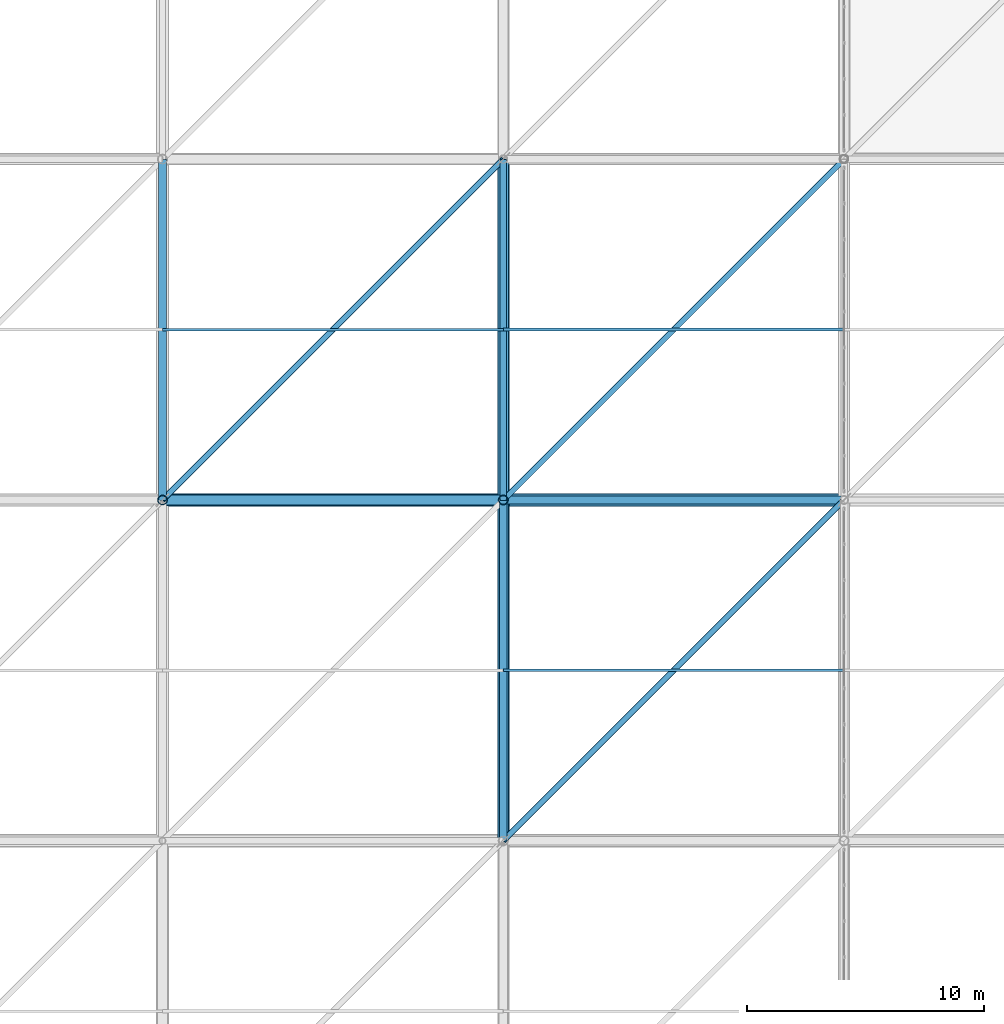
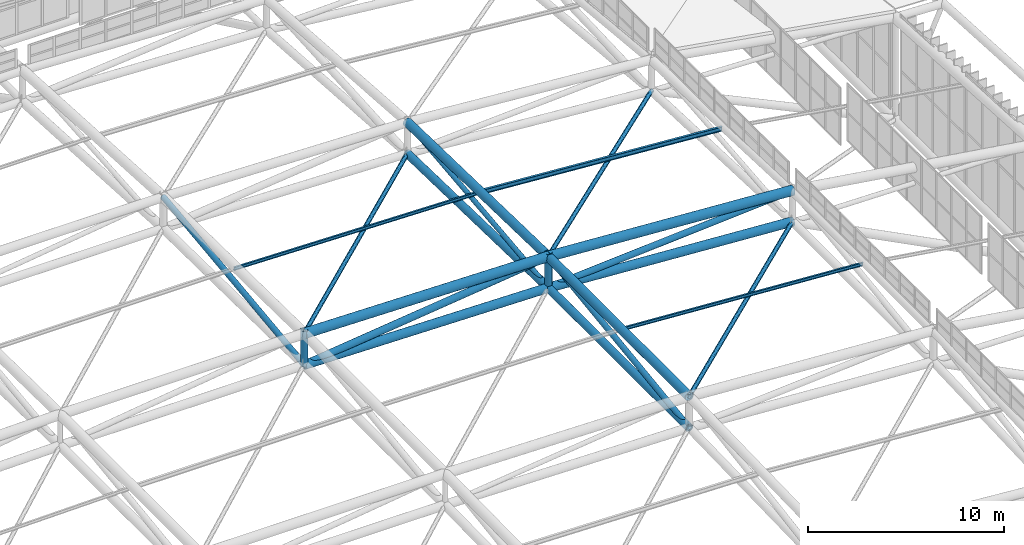
# One storey, part 266 of 397: 13 members, 8 beams.
"""IFC4 building model written with IfcOpenShell, lengths in metres."""

from ifc_helpers import new_model, si_unit, direction, frame, origin, origin_2d, place, context, subcontext, project, spatial, hollow_circle, i_section, extrude, material, material_profile, profile_set, type_object, element, save


model = new_model("IFC4")

# Units and contexts
model_context = context("Model", 3, precision=1e-05, world=origin(), true_north=direction((0.0, 1.0)))
body_context = subcontext(model_context, "Body", "Model", "MODEL_VIEW")
ifc_project = project(units=[si_unit("LENGTHUNIT", "METRE"), si_unit("AREAUNIT", "SQUARE_METRE"), si_unit("VOLUMEUNIT", "CUBIC_METRE"), si_unit("PLANEANGLEUNIT", "RADIAN"), si_unit("MASSUNIT", "GRAM", prefix="KILO")], contexts=[model_context])

# Site, building, storey
site_placement = place(None, origin())
site = spatial("IfcSite", under=ifc_project, at=site_placement, CompositionType="ELEMENT")
building_placement = place(site_placement, origin())
building = spatial("IfcBuilding", under=site, at=building_placement, Name="Qandorah Velis Arena", CompositionType="ELEMENT")
storey_placement = place(building_placement, frame((0.0, 0.0, 27.5)))
storey = spatial("IfcBuildingStorey", under=building, at=storey_placement, Name="RF", CompositionType="ELEMENT", Elevation=27.5)

# Members
ifc_material_1 = material(Name="Steel S355", Category="steel")
ifc_material_profile_1 = material_profile(ifc_material_1, i_section(OverallWidth=0.10009765625, OverallDepth=0.199951171875, WebThickness=0.005615234375, FlangeThickness=0.008544921875, FilletRadius=0.011962890625, at=origin_2d()), Name="IPE 200")
ifc_profile_set_1 = profile_set([ifc_material_profile_1], Name="Steel S355")
member_type_1 = type_object("IfcMemberType", Name="STR-PRL-IPE200", PredefinedType="PURLIN", material=ifc_profile_set_1)
member_1_placement = place(storey_placement, frame((72.0, 79.199951171875, 10.257568359375), z_axis=(0.999770450895, 0.0, -0.021425347562), x_axis=(0.0, 1.0, 0.0)))
element("IfcMember", 1, at=member_1_placement, inside=storey, type_object=member_type_1, Name="Arena roof purlin PRL-4.4", PredefinedType="PURLIN", context=body_context, shape_type="SweptSolid", body=[
    extrude(i_section(OverallWidth=0.10009765625, OverallDepth=0.199951171875, WebThickness=0.005615234375, FlangeThickness=0.008544921875, FilletRadius=0.011962890625, at=origin_2d()), origin(), (0.0, 0.0, 1.0), 14.4033203125),
])
member_2_placement = place(storey_placement, frame((86.39990234375, 64.800048828125, 10.12890625), z_axis=(0.997983976694, 0.0, -0.063466386867), x_axis=(0.0, 1.0, 0.0)))
element("IfcMember", 2, at=member_2_placement, inside=storey, type_object=member_type_1, Name="Arena roof purlin PRL-5.3", PredefinedType="PURLIN", context=body_context, shape_type="SweptSolid", body=[
    extrude(i_section(OverallWidth=0.10009765625, OverallDepth=0.199951171875, WebThickness=0.005615234375, FlangeThickness=0.008544921875, FilletRadius=0.011962890625, at=origin_2d()), origin(), (0.0, 0.0, 1.0), 14.42919921875),
])
ifc_material_profile_2 = material_profile(ifc_material_1, i_section(OverallWidth=0.135009765625, OverallDepth=0.27001953125, WebThickness=0.006591796875, FlangeThickness=0.01025390625, FilletRadius=0.014892578125, at=origin_2d()), Name="IPE 270")
ifc_profile_set_2 = profile_set([ifc_material_profile_2], Name="Steel S355")
member_type_2 = type_object("IfcMemberType", Name="STR-PRL-IPE270", PredefinedType="PURLIN", material=ifc_profile_set_2)
member_3_placement = place(storey_placement, frame((86.39990234375, 79.199951171875, 9.948974609375), z_axis=(0.997482764956, 0.0, -0.070909333765), x_axis=(0.0, 1.0, 0.0)))
element("IfcMember", 3, at=member_3_placement, inside=storey, type_object=member_type_2, Name="Arena roof purlin PRL-5.4", PredefinedType="PURLIN", context=body_context, shape_type="SweptSolid", body=[
    extrude(i_section(OverallWidth=0.135009765625, OverallDepth=0.27001953125, WebThickness=0.006591796875, FlangeThickness=0.01025390625, FilletRadius=0.014892578125, at=origin_2d()), origin(), (0.0, 0.0, 1.0), 14.4365234375),
])

# Beams
ifc_material_profile_3 = material_profile(ifc_material_1, hollow_circle(Radius=0.228515625, WallThickness=0.01611328125, at=origin_2d()), Name="CHS 457x16")
ifc_profile_set_3 = profile_set([ifc_material_profile_3], Name="Steel S355")
beam_type_1 = type_object("IfcBeamType", Name="STR-SFC-CHS457X16", PredefinedType="USERDEFINED", material=ifc_profile_set_3)
beam_1_placement = place(storey_placement, frame((86.39990234375, 57.60009765625, 8.39892578125), z_axis=(0.0, 1.0, 0.0), x_axis=(-1.0, 0.0, 0.0)))
element("IfcBeam", 4, at=beam_1_placement, inside=storey, type_object=beam_type_1, Name="Space frame roof truss bottom chord Y 5.3", ObjectType="ROOF TRUSS", PredefinedType="USERDEFINED", context=body_context, shape_type="SweptSolid", body=[
    extrude(hollow_circle(Radius=0.228515625, WallThickness=0.01611328125, at=origin_2d()), origin(), (0.0, 0.0, 1.0), 14.39990234375),
])
beam_2_placement = place(storey_placement, frame((86.39990234375, 72.0, 8.39892578125), z_axis=(0.0, 0.999687455822, -0.024999813457), x_axis=(-1.0, 0.0, 0.0)))
element("IfcBeam", 5, at=beam_2_placement, inside=storey, type_object=beam_type_1, Name="Space frame roof truss bottom chord Y 5.4", ObjectType="ROOF TRUSS", PredefinedType="USERDEFINED", context=body_context, shape_type="SweptSolid", body=[
    extrude(hollow_circle(Radius=0.228515625, WallThickness=0.01611328125, at=origin_2d()), origin(), (0.0, 0.0, 1.0), 14.404296875),
])
ifc_material_profile_4 = material_profile(ifc_material_1, hollow_circle(Radius=0.25390625, WallThickness=0.02001953125, at=origin_2d()), Name="CHS 508x20")
ifc_profile_set_4 = profile_set([ifc_material_profile_4], Name="Steel S355")
beam_type_2 = type_object("IfcBeamType", Name="STR-SFC-CHS508X20", PredefinedType="USERDEFINED", material=ifc_profile_set_4)
beam_3_placement = place(storey_placement, frame((86.39990234375, 57.60009765625, 10.34912109375), z_axis=(0.0, 1.0, 0.0), x_axis=(-1.0, 0.0, 0.0)))
element("IfcBeam", 6, at=beam_3_placement, inside=storey, type_object=beam_type_2, Name="Space frame roof truss top chord Y 5.3", ObjectType="ROOF TRUSS", PredefinedType="USERDEFINED", context=body_context, shape_type="SweptSolid", body=[
    extrude(hollow_circle(Radius=0.25390625, WallThickness=0.02001953125, at=origin_2d()), origin(), (0.0, 0.0, 1.0), 14.39990234375),
])
beam_4_placement = place(storey_placement, frame((86.39990234375, 72.0, 10.34912109375), z_axis=(0.0, 0.999687032088, -0.02501675188), x_axis=(-1.0, 0.0, 0.0)))
element("IfcBeam", 7, at=beam_4_placement, inside=storey, type_object=beam_type_2, Name="Space frame roof truss top chord Y 5.4", ObjectType="ROOF TRUSS", PredefinedType="USERDEFINED", context=body_context, shape_type="SweptSolid", body=[
    extrude(hollow_circle(Radius=0.25390625, WallThickness=0.02001953125, at=origin_2d()), origin(), (0.0, 0.0, 1.0), 14.404296875),
])
ifc_material_profile_5 = material_profile(ifc_material_1, hollow_circle(Radius=0.25390625, WallThickness=0.02490234375, at=origin_2d()), Name="CHS 508x25")
ifc_profile_set_5 = profile_set([ifc_material_profile_5], Name="Steel S355")
beam_type_3 = type_object("IfcBeamType", Name="STR-SFC-CHS508X25", PredefinedType="USERDEFINED", material=ifc_profile_set_5)
beam_5_placement = place(storey_placement, frame((72.0, 72.0, 8.6318359375), z_axis=(0.99986921963, 0.0, -0.016172310799), x_axis=(0.0, 1.0, 0.0)))
element("IfcBeam", 8, at=beam_5_placement, inside=storey, type_object=beam_type_3, Name="Space frame roof truss bottom chord X 4.4", ObjectType="ROOF TRUSS", PredefinedType="USERDEFINED", context=body_context, shape_type="SweptSolid", body=[
    extrude(hollow_circle(Radius=0.25390625, WallThickness=0.02490234375, at=origin_2d()), origin(), (0.0, 0.0, 1.0), 14.40185546875),
])
beam_6_placement = place(storey_placement, frame((86.39990234375, 72.0, 8.39892578125), z_axis=(0.997983976694, 0.0, -0.063466386867), x_axis=(0.0, 1.0, 0.0)))
element("IfcBeam", 9, at=beam_6_placement, inside=storey, type_object=beam_type_3, Name="Space frame roof truss bottom chord X 5.4", ObjectType="ROOF TRUSS", PredefinedType="USERDEFINED", context=body_context, shape_type="SweptSolid", body=[
    extrude(hollow_circle(Radius=0.25390625, WallThickness=0.02490234375, at=origin_2d()), origin(), (0.0, 0.0, 1.0), 14.42919921875),
])
ifc_material_profile_6 = material_profile(ifc_material_1, hollow_circle(Radius=0.279541015625, WallThickness=0.02490234375, at=origin_2d()), Name="CHS 559x25")
ifc_profile_set_6 = profile_set([ifc_material_profile_6], Name="Steel S355")
beam_type_4 = type_object("IfcBeamType", Name="STR-SFC-CHS559X25", PredefinedType="USERDEFINED", material=ifc_profile_set_6)
beam_7_placement = place(storey_placement, frame((72.0, 72.0, 10.581787109375), z_axis=(0.999869493605, 0.0, -0.016155363118), x_axis=(0.0, 1.0, 0.0)))
element("IfcBeam", 10, at=beam_7_placement, inside=storey, type_object=beam_type_4, Name="Space frame roof truss top chord X 4.4", ObjectType="ROOF TRUSS", PredefinedType="USERDEFINED", context=body_context, shape_type="SweptSolid", body=[
    extrude(hollow_circle(Radius=0.279541015625, WallThickness=0.02490234375, at=origin_2d()), origin(), (0.0, 0.0, 1.0), 14.40185546875),
])
beam_8_placement = place(storey_placement, frame((86.39990234375, 72.0, 10.34912109375), z_axis=(0.997982904876, 0.0, -0.063483238545), x_axis=(0.0, 1.0, 0.0)))
element("IfcBeam", 11, at=beam_8_placement, inside=storey, type_object=beam_type_4, Name="Space frame roof truss top chord X 5.4", ObjectType="ROOF TRUSS", PredefinedType="USERDEFINED", context=body_context, shape_type="SweptSolid", body=[
    extrude(hollow_circle(Radius=0.279541015625, WallThickness=0.02490234375, at=origin_2d()), origin(), (0.0, 0.0, 1.0), 14.42919921875),
])

# Members
ifc_material_profile_7 = material_profile(ifc_material_1, hollow_circle(Radius=0.122314453125, WallThickness=0.012451171875, at=origin_2d()), Name="CHS 244.5x12.5")
ifc_profile_set_7 = profile_set([ifc_material_profile_7], Name="Steel S355")
member_type_3 = type_object("IfcMemberType", Name="STR-SFD-CHS244X12", PredefinedType="STRUT", material=ifc_profile_set_7)
member_4_placement = place(storey_placement, frame((86.39990234375, 86.39990234375, 8.038818359375), z_axis=(-0.701657428676, -0.701657428676, 0.123910070481), x_axis=(0.707106781187, -0.707106781187, 0.0)))
element("IfcMember", 12, at=member_4_placement, inside=storey, type_object=member_type_3, Name="Space frame roof spatial diagonal 4.4", PredefinedType="STRUT", context=body_context, shape_type="SweptSolid", body=[
    extrude(hollow_circle(Radius=0.122314453125, WallThickness=0.012451171875, at=origin_2d()), origin(), (0.0, 0.0, 1.0), 20.522705078125),
])
member_5_placement = place(storey_placement, frame((100.800048828125, 72.0, 7.483154296875), z_axis=(-0.700212740083, -0.70020086865, 0.139358753468), x_axis=(0.707100786953, -0.707112775369, 0.0)))
element("IfcMember", 13, at=member_5_placement, inside=storey, type_object=member_type_3, Name="Space frame roof spatial diagonal 5.3", PredefinedType="STRUT", context=body_context, shape_type="SweptSolid", body=[
    extrude(hollow_circle(Radius=0.122314453125, WallThickness=0.012451171875, at=origin_2d()), origin(), (0.0, 0.0, 1.0), 20.5654296875),
])
member_6_placement = place(storey_placement, frame((100.800048828125, 86.39990234375, 6.90771484375), z_axis=(-0.697227425851, -0.697215605031, 0.16662627867), x_axis=(0.707100786953, -0.707112775369, 0.0)))
element("IfcMember", 14, at=member_6_placement, inside=storey, type_object=member_type_3, Name="Space frame roof spatial diagonal 5.4", PredefinedType="STRUT", context=body_context, shape_type="SweptSolid", body=[
    extrude(hollow_circle(Radius=0.122314453125, WallThickness=0.012451171875, at=origin_2d()), origin(), (0.0, 0.0, 1.0), 20.653564453125),
])
ifc_material_profile_8 = material_profile(ifc_material_1, hollow_circle(Radius=0.136474609375, WallThickness=0.012451171875, at=origin_2d()), Name="CHS 273x12.5")
ifc_profile_set_8 = profile_set([ifc_material_profile_8], Name="Steel S355")
member_type_4 = type_object("IfcMemberType", Name="STR-SFD-CHS273X12", PredefinedType="STRUT", material=ifc_profile_set_8)
member_7_placement = place(storey_placement, frame((86.39990234375, 72.0, 8.39892578125), z_axis=(0.0, 0.993960355169, 0.109739748277), x_axis=(-1.0, 0.0, 0.0)))
element("IfcMember", 15, at=member_7_placement, inside=storey, type_object=member_type_4, Name="Space frame roof diagonal Y 5.4", PredefinedType="STRUT", context=body_context, shape_type="SweptSolid", body=[
    extrude(hollow_circle(Radius=0.136474609375, WallThickness=0.012451171875, at=origin_2d()), origin(), (0.0, 0.0, 1.0), 14.4873046875),
])
ifc_material_profile_9 = material_profile(ifc_material_1, hollow_circle(Radius=0.161865234375, WallThickness=0.012451171875, at=origin_2d()), Name="CHS 323.9x12.5")
ifc_profile_set_9 = profile_set([ifc_material_profile_9], Name="Steel S355")
member_type_5 = type_object("IfcMemberType", Name="STR-SFD-CHS323X12", PredefinedType="CHORD", material=ifc_profile_set_9)
member_8_placement = place(storey_placement, frame((72.0, 72.0, 8.6318359375), z_axis=(0.0, 0.992766585892, 0.120060426184), x_axis=(-1.0, 0.0, 0.0)))
element("IfcMember", 16, at=member_8_placement, inside=storey, type_object=member_type_5, Name="Space frame roof diagonal Y 4.4", PredefinedType="CHORD", context=body_context, shape_type="SweptSolid", body=[
    extrude(hollow_circle(Radius=0.161865234375, WallThickness=0.012451171875, at=origin_2d()), origin(), (0.0, 0.0, 1.0), 14.5048828125),
])
ifc_material_profile_10 = material_profile(ifc_material_1, hollow_circle(Radius=0.161865234375, WallThickness=0.01611328125, at=origin_2d()), Name="CHS 323.9x16")
ifc_profile_set_10 = profile_set([ifc_material_profile_10], Name="Steel S355")
member_type_6 = type_object("IfcMemberType", Name="STR-SFD-CHS323X16", PredefinedType="CHORD", material=ifc_profile_set_10)
member_9_placement = place(storey_placement, frame((86.39990234375, 57.60009765625, 8.39892578125), z_axis=(0.0, 0.990953459516, 0.134205965118), x_axis=(-1.0, 0.0, 0.0)))
element("IfcMember", 17, at=member_9_placement, inside=storey, type_object=member_type_6, Name="Space frame roof diagonal Y 5.3", PredefinedType="CHORD", context=body_context, shape_type="SweptSolid", body=[
    extrude(hollow_circle(Radius=0.161865234375, WallThickness=0.01611328125, at=origin_2d()), origin(), (0.0, 0.0, 1.0), 14.53125),
])
ifc_material_profile_11 = material_profile(ifc_material_1, hollow_circle(Radius=0.177734375, WallThickness=0.012451171875, at=origin_2d()), Name="CHS 355.6x12.5")
ifc_profile_set_11 = profile_set([ifc_material_profile_11], Name="Steel S355")
member_type_7 = type_object("IfcMemberType", Name="STR-SFD-CHS355X12", PredefinedType="STRUT", material=ifc_profile_set_11)
member_10_placement = place(storey_placement, frame((86.39990234375, 72.0, 8.39892578125), z_axis=(0.997431070588, 0.0, 0.071632809708), x_axis=(0.0, 1.0, 0.0)))
element("IfcMember", 18, at=member_10_placement, inside=storey, type_object=member_type_7, Name="Space frame roof diagonal X 5.4", PredefinedType="STRUT", context=body_context, shape_type="SweptSolid", body=[
    extrude(hollow_circle(Radius=0.177734375, WallThickness=0.012451171875, at=origin_2d()), origin(), (0.0, 0.0, 1.0), 14.437255859375),
])
ifc_material_profile_12 = material_profile(ifc_material_1, hollow_circle(Radius=0.203125, WallThickness=0.01611328125, at=origin_2d()), Name="CHS 406.4x16")
ifc_profile_set_12 = profile_set([ifc_material_profile_12], Name="Steel S355")
member_type_8 = type_object("IfcMemberType", Name="STR-SFD-CHS406X16", PredefinedType="STRUT", material=ifc_profile_set_12)
member_11_placement = place(storey_placement, frame((86.39990234375, 72.0, 8.39892578125), z_axis=(0.0, 0.0, 1.0), x_axis=(1.0, 0.0, 0.0)))
element("IfcMember", 19, at=member_11_placement, inside=storey, type_object=member_type_8, Name="Space frame roof vertical post 5.4", PredefinedType="STRUT", context=body_context, shape_type="SweptSolid", body=[
    extrude(hollow_circle(Radius=0.203125, WallThickness=0.01611328125, at=origin_2d()), origin(), (0.0, 0.0, 1.0), 2.2099609375),
])
ifc_material_2 = material(Name="Steel S460", Category="steel")
ifc_material_profile_13 = material_profile(ifc_material_2, hollow_circle(Radius=0.203125, WallThickness=0.02001953125, at=origin_2d()), Name="CHS 406.4x20")
ifc_profile_set_13 = profile_set([ifc_material_profile_13], Name="Steel S460")
member_type_9 = type_object("IfcMemberType", Name="STR-SFD-CHS406X20", PredefinedType="STRUT", material=ifc_profile_set_13)
member_12_placement = place(storey_placement, frame((72.0, 72.0, 8.6318359375), z_axis=(0.0, 0.0, 1.0), x_axis=(1.0, 0.0, 0.0)))
element("IfcMember", 20, at=member_12_placement, inside=storey, type_object=member_type_9, Name="Space frame roof vertical post 4.4", PredefinedType="STRUT", context=body_context, shape_type="SweptSolid", body=[
    extrude(hollow_circle(Radius=0.203125, WallThickness=0.02001953125, at=origin_2d()), origin(), (0.0, 0.0, 1.0), 2.2099609375),
])
member_13_placement = place(storey_placement, frame((72.0, 72.0, 8.6318359375), z_axis=(0.992963880404, 0.0, 0.118417617829), x_axis=(0.0, 1.0, 0.0)))
element("IfcMember", 21, at=member_13_placement, inside=storey, type_object=member_type_9, Name="Space frame roof diagonal X 4.4", PredefinedType="STRUT", context=body_context, shape_type="SweptSolid", body=[
    extrude(hollow_circle(Radius=0.203125, WallThickness=0.02001953125, at=origin_2d()), origin(), (0.0, 0.0, 1.0), 14.501953125),
])

save(model, "model.ifc")
